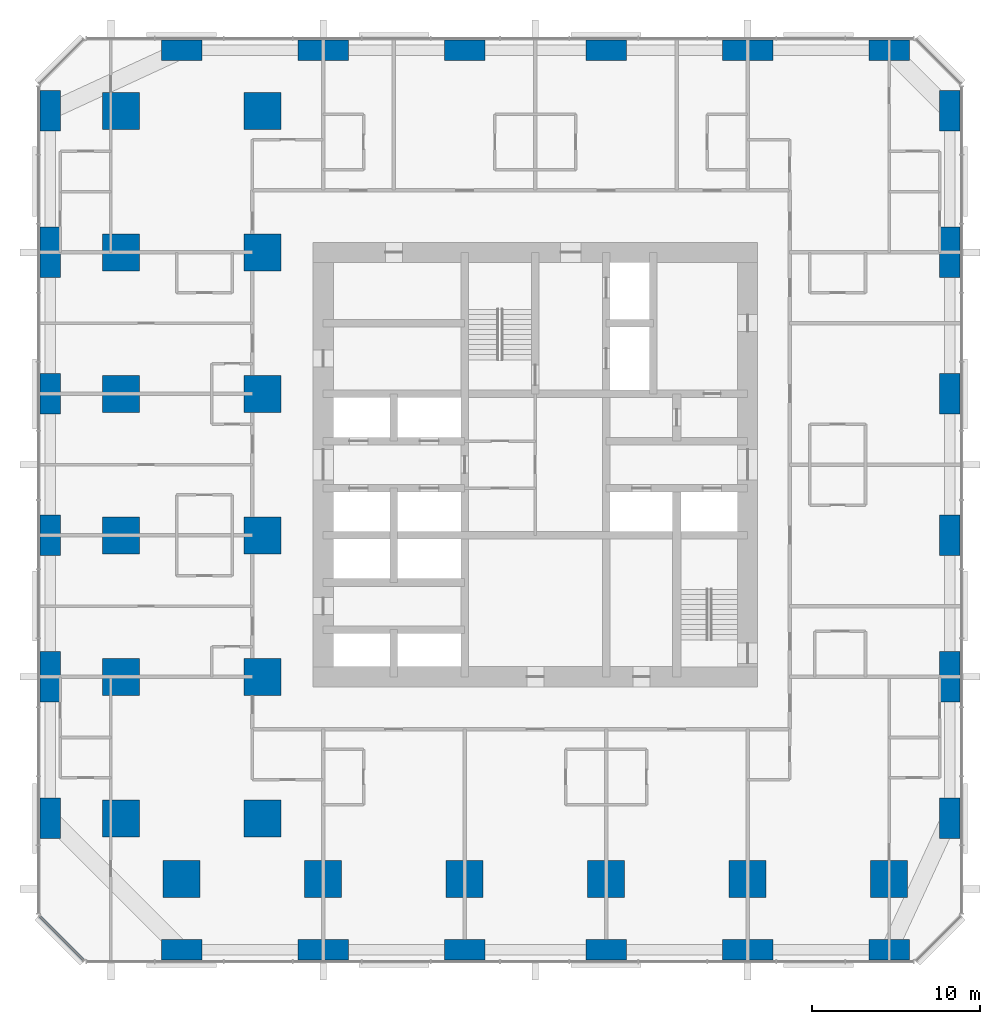
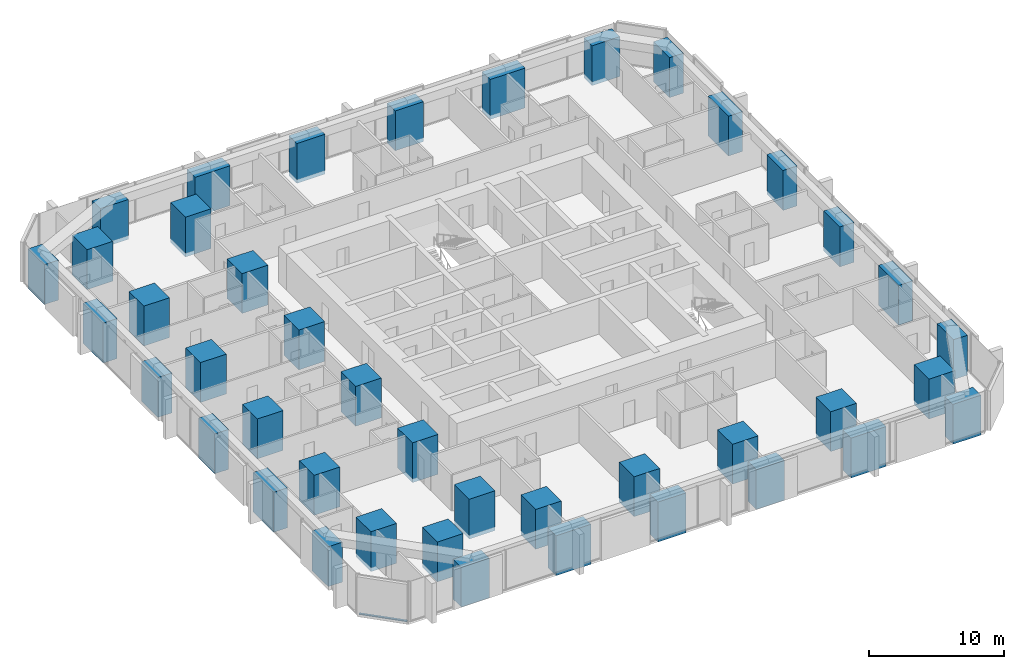
# One storey, part 1 of 13: 42 columns, 1 member, 1 element without a shape of its own.
"""IFC4 building model written with IfcOpenShell, lengths in metres."""

from ifc_helpers import new_model, si_unit, direction, frame, origin, origin_2d, place, context, subcontext, project, spatial, rectangle, extrude, material, material_profile, profile_set, type_object, element, aggregate, save


model = new_model("IFC4")

# Units and contexts
model_context = context("Model", 3, precision=1e-05, world=origin(), true_north=direction((0.0, 1.0)))
body_context = subcontext(model_context, "Body", "Model", "MODEL_VIEW")
ifc_project = project(units=[si_unit("LENGTHUNIT", "METRE"), si_unit("AREAUNIT", "SQUARE_METRE"), si_unit("VOLUMEUNIT", "CUBIC_METRE"), si_unit("PLANEANGLEUNIT", "RADIAN"), si_unit("MASSUNIT", "GRAM", prefix="KILO")], contexts=[model_context])

# Site, building, storey
site_placement = place(None, origin())
site = spatial("IfcSite", under=ifc_project, at=site_placement, CompositionType="ELEMENT")
building_placement = place(site_placement, origin())
building = spatial("IfcBuilding", under=site, at=building_placement, Name="Dunama Terrace Hotel", CompositionType="ELEMENT")
storey_placement = place(building_placement, frame((0.0, 0.0, 97.199951171875)))
storey = spatial("IfcBuildingStorey", under=building, at=storey_placement, Name="L24", CompositionType="ELEMENT", Elevation=97.199951171875)

# Columns
ifc_material_1 = material(Name="Concrete C60/75", Category="concrete")
ifc_material_profile_1 = material_profile(ifc_material_1, rectangle(XDim=1.199951171875, YDim=2.39990234375, at=origin_2d()), Name="RC 1200x2400")
ifc_profile_set_1 = profile_set([ifc_material_profile_1], Name="Concrete C60/75")
column_type_1 = type_object("IfcColumnType", Name="Column RC 1200x2400", PredefinedType="COLUMN", material=ifc_profile_set_1)
for number, where, z_axis, x_axis, name in (
    (1, (0.60009765625, 8.39990234375, -0.349853515625), (0.0, 0.0, 1.0), (1.0, 0.0, 0.0), "Column L24 +0.6/+8.4"),
    (2, (0.60009765625, 25.199951171875, -0.349853515625), (0.0, 0.0, 1.0), (1.0, 0.0, 0.0), "Column L24 +0.6/+25.2"),
    (3, (0.60009765625, 33.60009765625, -0.349853515625), (0.0, 0.0, 1.0), (1.0, 0.0, 0.0), "Column L24 +0.6/+33.6"),
    (4, (0.60009765625, 50.39990234375, -0.349853515625), (0.0, 0.0, 1.0), (1.0, 0.0, 0.0), "Column L24 +0.6/+50.4"),
    (5, (54.0, 8.39990234375, -0.349853515625), (0.0, 0.0, 1.0), (1.0, 0.0, 0.0), "Column L24 +54.0/+8.4"),
    (6, (54.0, 25.199951171875, -0.349853515625), (0.0, 0.0, 1.0), (1.0, 0.0, 0.0), "Column L24 +54.0/+25.2"),
    (7, (54.0, 33.60009765625, -0.349853515625), (0.0, 0.0, 1.0), (1.0, 0.0, 0.0), "Column L24 +54.0/+33.6"),
    (8, (54.0, 50.39990234375, -0.349853515625), (0.0, 0.0, 1.0), (1.0, 0.0, 0.0), "Column L24 +54.0/+50.4"),
):
    element("IfcColumn", number, at=place(storey_placement, frame(where, z_axis=z_axis, x_axis=x_axis)), inside=storey, type_object=column_type_1, Name=name, PredefinedType="COLUMN", context=body_context, shape_type="SweptSolid", body=[
        extrude(rectangle(XDim=1.199951171875, YDim=2.39990234375, at=origin_2d()), origin(), (0.0, 0.0, 1.0), 3.599853515625),
    ])
ifc_material_2 = material(Name="Concrete C60/75", Category="concrete")
ifc_material_profile_2 = material_profile(ifc_material_2, rectangle(XDim=1.199951171875, YDim=3.0, at=origin_2d()), Name="RC 1200x3000")
ifc_profile_set_2 = profile_set([ifc_material_profile_2], Name="Concrete C60/75")
column_type_2 = type_object("IfcColumnType", Name="Column RC 1200x3000", PredefinedType="COLUMN", material=ifc_profile_set_2)
for number, where, z_axis, x_axis, name in (
    (9, (0.60009765625, 16.800048828125, -0.349853515625), (0.0, 0.0, 1.0), (1.0, 0.0, 0.0), "Column L24 +0.6/+16.8"),
    (10, (0.60009765625, 42.0, -0.349853515625), (0.0, 0.0, 1.0), (1.0, 0.0, 0.0), "Column L24 +0.6/+42.0"),
    (11, (54.0, 16.800048828125, -0.349853515625), (0.0, 0.0, 1.0), (1.0, 0.0, 0.0), "Column L24 +54.0/+16.8"),
    (12, (54.0, 42.0, -0.349853515625), (0.0, 0.0, 1.0), (1.0, 0.0, 0.0), "Column L24 +54.0/+42.0"),
):
    element("IfcColumn", number, at=place(storey_placement, frame(where, z_axis=z_axis, x_axis=x_axis)), inside=storey, type_object=column_type_2, Name=name, PredefinedType="COLUMN", context=body_context, shape_type="SweptSolid", body=[
        extrude(rectangle(XDim=1.199951171875, YDim=3.0, at=origin_2d()), origin(), (0.0, 0.0, 1.0), 3.599853515625),
    ])
ifc_material_3 = material(Name="Concrete C60/75", Category="concrete")
ifc_material_profile_3 = material_profile(ifc_material_3, rectangle(XDim=2.199951171875, YDim=2.199951171875, at=origin_2d()), Name="RC 2200x2200")
ifc_profile_set_3 = profile_set([ifc_material_profile_3], Name="Concrete C60/75")
column_type_3 = type_object("IfcColumnType", Name="Column RC 2200x2200", PredefinedType="COLUMN", material=ifc_profile_set_3)
for number, where, z_axis, x_axis, name in (
    (13, (4.800048828125, 8.39990234375, -0.349853515625), (0.0, 0.0, 1.0), (1.0, 0.0, 0.0), "Column L24 +4.8/+8.4"),
    (14, (4.800048828125, 16.800048828125, -0.349853515625), (0.0, 0.0, 1.0), (1.0, 0.0, 0.0), "Column L24 +4.8/+16.8"),
    (15, (4.800048828125, 25.199951171875, -0.349853515625), (0.0, 0.0, 1.0), (1.0, 0.0, 0.0), "Column L24 +4.8/+25.2"),
    (16, (4.800048828125, 33.60009765625, -0.349853515625), (0.0, 0.0, 1.0), (1.0, 0.0, 0.0), "Column L24 +4.8/+33.6"),
    (17, (4.800048828125, 42.0, -0.349853515625), (0.0, 0.0, 1.0), (1.0, 0.0, 0.0), "Column L24 +4.8/+42.0"),
    (18, (4.800048828125, 50.39990234375, -0.349853515625), (0.0, 0.0, 1.0), (1.0, 0.0, 0.0), "Column L24 +4.8/+50.4"),
    (19, (8.39990234375, 4.800048828125, -0.349853515625), (0.0, 0.0, 1.0), (1.0, 0.0, 0.0), "Column L24 +8.4/+4.8"),
    (20, (13.199951171875, 8.39990234375, -0.349853515625), (0.0, 0.0, 1.0), (1.0, 0.0, 0.0), "Column L24 +13.2/+8.4"),
    (21, (13.199951171875, 16.800048828125, -0.349853515625), (0.0, 0.0, 1.0), (1.0, 0.0, 0.0), "Column L24 +13.2/+16.8"),
    (22, (13.199951171875, 25.199951171875, -0.349853515625), (0.0, 0.0, 1.0), (1.0, 0.0, 0.0), "Column L24 +13.2/+25.2"),
    (23, (13.199951171875, 33.60009765625, -0.349853515625), (0.0, 0.0, 1.0), (1.0, 0.0, 0.0), "Column L24 +13.2/+33.6"),
    (24, (13.199951171875, 42.0, -0.349853515625), (0.0, 0.0, 1.0), (1.0, 0.0, 0.0), "Column L24 +13.2/+42.0"),
    (25, (13.199951171875, 50.39990234375, -0.349853515625), (0.0, 0.0, 1.0), (1.0, 0.0, 0.0), "Column L24 +13.2/+50.4"),
    (26, (16.800048828125, 4.800048828125, -0.349853515625), (0.0, 0.0, 1.0), (1.0, 0.0, 0.0), "Column L24 +16.8/+4.8"),
    (27, (25.199951171875, 4.800048828125, -0.349853515625), (0.0, 0.0, 1.0), (1.0, 0.0, 0.0), "Column L24 +25.2/+4.8"),
    (28, (33.60009765625, 4.800048828125, -0.349853515625), (0.0, 0.0, 1.0), (1.0, 0.0, 0.0), "Column L24 +33.6/+4.8"),
    (29, (42.0, 4.800048828125, -0.349853515625), (0.0, 0.0, 1.0), (1.0, 0.0, 0.0), "Column L24 +42.0/+4.8"),
    (30, (50.39990234375, 4.800048828125, -0.349853515625), (0.0, 0.0, 1.0), (1.0, 0.0, 0.0), "Column L24 +50.4/+4.8"),
):
    element("IfcColumn", number, at=place(storey_placement, frame(where, z_axis=z_axis, x_axis=x_axis)), inside=storey, type_object=column_type_3, Name=name, PredefinedType="COLUMN", context=body_context, shape_type="SweptSolid", body=[
        extrude(rectangle(XDim=2.199951171875, YDim=2.199951171875, at=origin_2d()), origin(), (0.0, 0.0, 1.0), 3.599853515625),
    ])
ifc_material_4 = material(Name="Concrete C60/75", Category="concrete")
ifc_material_profile_4 = material_profile(ifc_material_4, rectangle(XDim=2.39990234375, YDim=1.199951171875, at=origin_2d()), Name="RC 2400x1200")
ifc_profile_set_4 = profile_set([ifc_material_profile_4], Name="Concrete C60/75")
column_type_4 = type_object("IfcColumnType", Name="Column RC 2400x1200", PredefinedType="COLUMN", material=ifc_profile_set_4)
for number, where, z_axis, x_axis, name in (
    (31, (8.39990234375, 0.60009765625, -0.349853515625), (0.0, 0.0, 1.0), (1.0, 0.0, 0.0), "Column L24 +8.4/+0.6"),
    (32, (8.39990234375, 54.0, -0.349853515625), (0.0, 0.0, 1.0), (1.0, 0.0, 0.0), "Column L24 +8.4/+54.0"),
    (33, (25.199951171875, 0.60009765625, -0.349853515625), (0.0, 0.0, 1.0), (1.0, 0.0, 0.0), "Column L24 +25.2/+0.6"),
    (34, (25.199951171875, 54.0, -0.349853515625), (0.0, 0.0, 1.0), (1.0, 0.0, 0.0), "Column L24 +25.2/+54.0"),
    (35, (33.60009765625, 0.60009765625, -0.349853515625), (0.0, 0.0, 1.0), (1.0, 0.0, 0.0), "Column L24 +33.6/+0.6"),
    (36, (33.60009765625, 54.0, -0.349853515625), (0.0, 0.0, 1.0), (1.0, 0.0, 0.0), "Column L24 +33.6/+54.0"),
    (37, (50.39990234375, 0.60009765625, -0.349853515625), (0.0, 0.0, 1.0), (1.0, 0.0, 0.0), "Column L24 +50.4/+0.6"),
    (38, (50.39990234375, 54.0, -0.349853515625), (0.0, 0.0, 1.0), (1.0, 0.0, 0.0), "Column L24 +50.4/+54.0"),
):
    element("IfcColumn", number, at=place(storey_placement, frame(where, z_axis=z_axis, x_axis=x_axis)), inside=storey, type_object=column_type_4, Name=name, PredefinedType="COLUMN", context=body_context, shape_type="SweptSolid", body=[
        extrude(rectangle(XDim=2.39990234375, YDim=1.199951171875, at=origin_2d()), origin(), (0.0, 0.0, 1.0), 3.599853515625),
    ])
ifc_material_5 = material(Name="Concrete C60/75", Category="concrete")
ifc_material_profile_5 = material_profile(ifc_material_5, rectangle(XDim=3.0, YDim=1.199951171875, at=origin_2d()), Name="RC 3000x1200")
ifc_profile_set_5 = profile_set([ifc_material_profile_5], Name="Concrete C60/75")
column_type_5 = type_object("IfcColumnType", Name="Column RC 3000x1200", PredefinedType="COLUMN", material=ifc_profile_set_5)
for number, where, z_axis, x_axis, name in (
    (39, (16.800048828125, 0.60009765625, -0.349853515625), (0.0, 0.0, 1.0), (1.0, 0.0, 0.0), "Column L24 +16.8/+0.6"),
    (40, (16.800048828125, 54.0, -0.349853515625), (0.0, 0.0, 1.0), (1.0, 0.0, 0.0), "Column L24 +16.8/+54.0"),
    (41, (42.0, 0.60009765625, -0.349853515625), (0.0, 0.0, 1.0), (1.0, 0.0, 0.0), "Column L24 +42.0/+0.6"),
    (42, (42.0, 54.0, -0.349853515625), (0.0, 0.0, 1.0), (1.0, 0.0, 0.0), "Column L24 +42.0/+54.0"),
):
    element("IfcColumn", number, at=place(storey_placement, frame(where, z_axis=z_axis, x_axis=x_axis)), inside=storey, type_object=column_type_5, Name=name, PredefinedType="COLUMN", context=body_context, shape_type="SweptSolid", body=[
        extrude(rectangle(XDim=3.0, YDim=1.199951171875, at=origin_2d()), origin(), (0.0, 0.0, 1.0), 3.599853515625),
    ])

# Curtain wall, member
ifc_material_6 = material(Name="Aluminium curtain wall system", Category="aluminium")
curtain_wall_type = type_object("IfcCurtainWallType", Name="Unitised fritted glass wall CW-B", PredefinedType="NOTDEFINED", material=ifc_material_6)
curtain_wall_placement = place(storey_placement, origin())
curtain_wall = element("IfcCurtainWall", 43, at=curtain_wall_placement, inside=storey, type_object=curtain_wall_type, Name="Unitised fritted glass wall CW-B L24", PredefinedType="NOTDEFINED")
ifc_material_7 = material(Name="Aluminium transom", Category="aluminium")
ifc_material_profile_6 = material_profile(ifc_material_7, rectangle(XDim=0.179931640625, YDim=0.080078125, at=origin_2d()), Name="CWB TRANSOM 180X80")
ifc_profile_set_6 = profile_set([ifc_material_profile_6], Name="Aluminium transom")
member_type = type_object("IfcMemberType", Name="CWB transom 180x80", PredefinedType="USERDEFINED", material=ifc_profile_set_6)
member_placement = place(storey_placement, frame((-0.031982421875, 2.575927734375, 0.0400390625), z_axis=(0.707106781187, -0.707106781187, 0.0), x_axis=(0.707106781187, 0.707106781187, 0.0)))
member = element("IfcMember", 44, at=member_placement, type_object=member_type, Name="CWB transom", ObjectType="TRANSOM", PredefinedType="USERDEFINED", context=body_context, shape_type="SweptSolid", body=[
    extrude(rectangle(XDim=0.179931640625, YDim=0.080078125, at=origin_2d()), origin(), (0.0, 0.0, 1.0), 3.688232421875),
])
aggregate(curtain_wall, [member])

save(model, "model.ifc")
